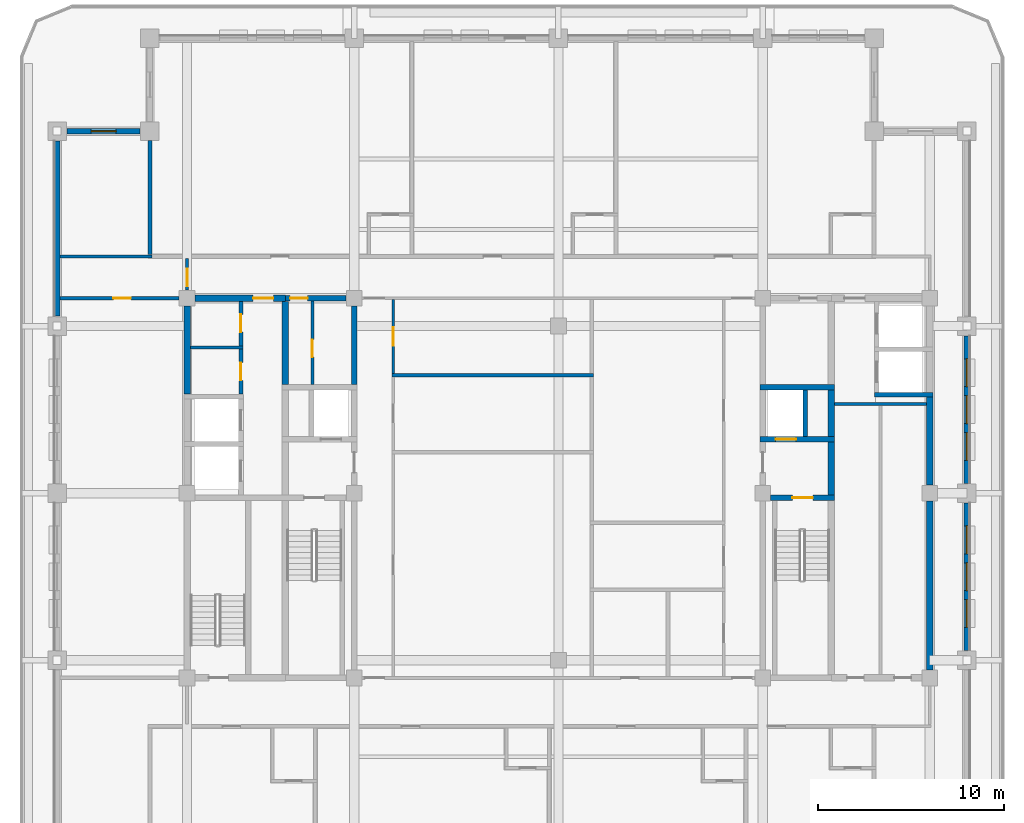
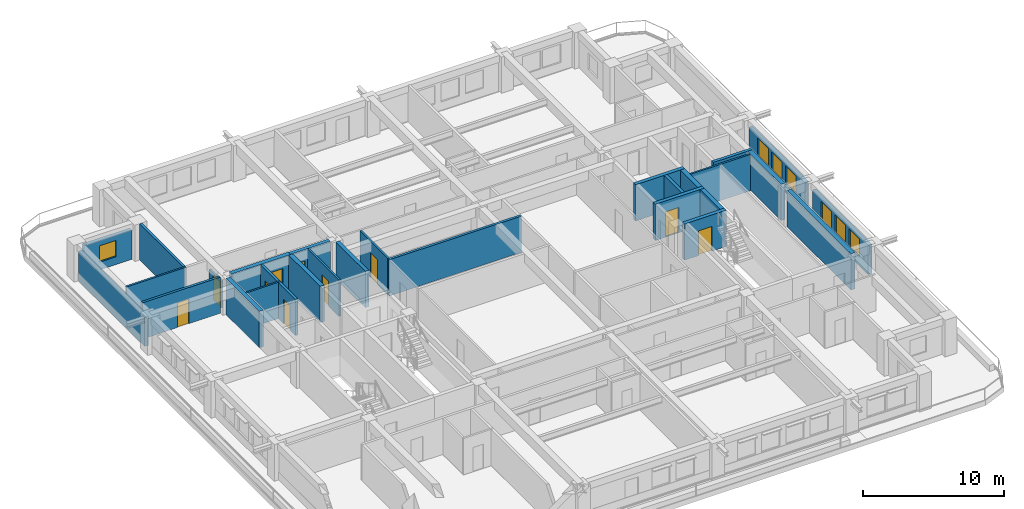
# One storey, part 5 of 14: 29 walls, 10 doors, 7 windows, 17 openings.
"""IFC4 building model written with IfcOpenShell, lengths in metres."""

from ifc_helpers import new_model, si_unit, direction, frame, frame_2d, origin, place, context, subcontext, project, spatial, rectangle, extrude, material, layer, layer_set, type_object, element, fill, save


model = new_model("IFC4")

# Units and contexts
model_context = context("Model", 3, precision=1e-05, world=origin(), true_north=direction((0.0, 1.0)))
body_context = subcontext(model_context, "Body", "Model", "MODEL_VIEW")
ifc_project = project(units=[si_unit("LENGTHUNIT", "METRE"), si_unit("AREAUNIT", "SQUARE_METRE"), si_unit("VOLUMEUNIT", "CUBIC_METRE"), si_unit("PLANEANGLEUNIT", "RADIAN"), si_unit("MASSUNIT", "GRAM", prefix="KILO")], contexts=[model_context])

# Site, building, storey
site_placement = place(None, origin())
site = spatial("IfcSite", under=ifc_project, at=site_placement, CompositionType="ELEMENT")
building_placement = place(site_placement, origin())
building = spatial("IfcBuilding", under=site, at=building_placement, Name="Zulmaris Gate Convention Tower", CompositionType="ELEMENT")
storey_placement = place(building_placement, frame((0.0, 0.0, 198.260009765625)))
storey = spatial("IfcBuildingStorey", under=building, at=storey_placement, Name="L51", CompositionType="ELEMENT", Elevation=198.260009765625)

# Walls
ifc_material_1 = material(Name="Concrete C50/60", Category="concrete")
ifc_layer_1 = layer(ifc_material_1, 0.25, Name="Concrete C50/60")
ifc_layer_set_1 = layer_set([ifc_layer_1], Name="Concrete C50/60")
wall_type_1 = type_object("IfcWallType", Name="CORE-250", PredefinedType="SOLIDWALL", material=ifc_layer_set_1)
wall_1_placement = place(storey_placement, frame((17.02490234375, 5.300048828125, 0.0), z_axis=(0.0, 0.0, 1.0), x_axis=(1.0, 0.0, 0.0)))
element("IfcWall", 1, at=wall_1_placement, inside=storey, type_object=wall_type_1, Name="WL-L51-011", PredefinedType="SOLIDWALL", context=body_context, shape_type="SweptSolid", body=[
    extrude(rectangle(XDim=3.150146484375, YDim=0.25, at=frame_2d((1.5751953125, 0.0))), origin(), (0.0, 0.0, 1.0), 3.14990234375),
])
wall_2_placement = place(storey_placement, frame((13.300048828125, 3.052001953125, 0.0), z_axis=(0.0, 0.0, 1.0), x_axis=(0.0, 1.0, 0.0)))
element("IfcWall", 2, at=wall_2_placement, inside=storey, type_object=wall_type_1, Name="WL-L51-063", PredefinedType="SOLIDWALL", context=body_context, shape_type="SweptSolid", body=[
    extrude(rectangle(XDim=2.49609375, YDim=0.25, at=frame_2d((1.248046875, 0.0))), origin(), (0.0, 0.0, 1.0), 3.14990234375),
])

# Wall, opening, door
ifc_layer_2 = layer(ifc_material_1, 0.300048828125, Name="Concrete C50/60")
ifc_layer_set_2 = layer_set([ifc_layer_2], Name="Concrete C50/60")
wall_type_2 = type_object("IfcWallType", Name="CORE-300", PredefinedType="SHEAR", material=ifc_layer_set_2)
wall_3_placement = place(storey_placement, frame((11.428955078125, -0.25, 0.0), z_axis=(0.0, 0.0, 1.0), x_axis=(1.0, 0.0, 0.0)))
wall_3 = element("IfcWall", 3, at=wall_3_placement, inside=storey, type_object=wall_type_2, Name="WL-L51-006", PredefinedType="SHEAR", context=body_context, shape_type="SweptSolid", body=[
    extrude(rectangle(XDim=3.446044921875, YDim=0.300048828125, at=frame_2d((1.72314453125, 0.0))), origin(), (0.0, 0.0, 1.0), 3.14990234375),
])
opening_1_placement = place(wall_3_placement, frame((1.1708984375, 0.0, 0.0)))
opening_1 = element("IfcOpeningElement", 4, at=opening_1_placement, cuts=wall_3, Name="Opening D-08", PredefinedType="OPENING", context=body_context, shape_type="SweptSolid", body=[
    extrude(rectangle(XDim=1.10009765625, YDim=2.14990234375, at=frame_2d((0.550048828125, 1.074951171875))), frame((0.0, 0.16015625, 0.0), z_axis=(0.0, -1.0, 0.0), x_axis=(1.0, 0.0, 0.0)), (0.0, 0.0, 1.0), 0.320068359375),
])
ifc_material_2 = material(Name="Fire-Rated Steel", Category="steel")
door_type_1 = type_object("IfcDoorType", Name="DR-1100-FD", OperationType="NOTDEFINED", PredefinedType="DOOR", material=ifc_material_2)
door_1_placement = place(opening_1_placement, origin())
door_1 = element("IfcDoor", 5, at=door_1_placement, inside=storey, type_object=door_type_1, Name="L51 Exit Stair ST-2 Door 04", OperationType="SINGLE_SWING_RIGHT", OverallHeight=2.14990234375, OverallWidth=1.10009765625, PredefinedType="DOOR", context=body_context, shape_type="SweptSolid", body=[
    extrude(rectangle(XDim=1.10009765625, YDim=2.14990234375, at=frame_2d((0.550048828125, 1.074951171875))), frame((0.0, 0.02490234375, 0.0), z_axis=(0.0, -1.0, 0.0), x_axis=(1.0, 0.0, 0.0)), (0.0, 0.0, 1.0), 0.050048828125),
])
fill(opening_1, door_1)

wall_4_placement = place(storey_placement, frame((10.85009765625, 2.89990234375, 0.0), z_axis=(0.0, 0.0, 1.0), x_axis=(1.0, 0.0, 0.0)))
wall_4 = element("IfcWall", 6, at=wall_4_placement, inside=storey, type_object=wall_type_2, Name="WL-L51-009", PredefinedType="SHEAR", context=body_context, shape_type="SweptSolid", body=[
    extrude(rectangle(XDim=4.02490234375, YDim=0.300048828125, at=frame_2d((2.012451171875, 0.0))), origin(), (0.0, 0.0, 1.0), 3.14990234375),
])
opening_2_placement = place(wall_4_placement, frame((0.85009765625, 0.0, 0.0)))
opening_2 = element("IfcOpeningElement", 7, at=opening_2_placement, cuts=wall_4, Name="Opening D-06", PredefinedType="OPENING", context=body_context, shape_type="SweptSolid", body=[
    extrude(rectangle(XDim=1.10009765625, YDim=2.199951171875, at=frame_2d((0.550048828125, 1.10009765625))), frame((0.0, 0.16015625, 0.0), z_axis=(0.0, -1.0, 0.0), x_axis=(1.0, 0.0, 0.0)), (0.0, 0.0, 1.0), 0.320068359375),
])
ifc_material_3 = material(Name="Brushed Stainless Steel", Category="steel")
door_type_2 = type_object("IfcDoorType", Name="LD-1100", OperationType="NOTDEFINED", PredefinedType="DOOR", material=ifc_material_3)
door_2_placement = place(opening_2_placement, origin())
door_2 = element("IfcDoor", 8, at=door_2_placement, inside=storey, type_object=door_type_2, Name="L51 Lift Landing Door LF-02 06", OperationType="SLIDING_TO_RIGHT", OverallHeight=2.199951171875, OverallWidth=1.10009765625, PredefinedType="DOOR", context=body_context, shape_type="SweptSolid", body=[
    extrude(rectangle(XDim=1.10009765625, YDim=2.199951171875, at=frame_2d((0.550048828125, 1.10009765625))), frame((0.0, 0.02490234375, 0.0), z_axis=(0.0, -1.0, 0.0), x_axis=(1.0, 0.0, 0.0)), (0.0, 0.0, 1.0), 0.050048828125),
])
fill(opening_2, door_2)

# Wall
wall_5_placement = place(storey_placement, frame((10.85009765625, 5.699951171875, 0.0), z_axis=(0.0, 0.0, 1.0), x_axis=(1.0, 0.0, 0.0)))
element("IfcWall", 9, at=wall_5_placement, inside=storey, type_object=wall_type_2, Name="WL-L51-013", PredefinedType="SHEAR", context=body_context, shape_type="SweptSolid", body=[
    extrude(rectangle(XDim=4.02490234375, YDim=0.300048828125, at=frame_2d((2.012451171875, 0.0))), origin(), (0.0, 0.0, 1.0), 3.14990234375),
])

# Wall, opening, door
wall_6_placement = place(storey_placement, frame((-14.699951171875, 10.5, 0.0), z_axis=(0.0, 0.0, 1.0), x_axis=(1.0, 0.0, 0.0)))
wall_6 = element("IfcWall", 10, at=wall_6_placement, inside=storey, type_object=wall_type_2, Name="WL-L51-016", PredefinedType="SHEAR", context=body_context, shape_type="SweptSolid", body=[
    extrude(rectangle(XDim=3.27099609375, YDim=0.300048828125, at=frame_2d((1.635498046875, 0.0))), origin(), (0.0, 0.0, 1.0), 3.14990234375),
])
opening_3_placement = place(wall_6_placement, frame((0.2451171875, 0.0, 0.0)))
opening_3 = element("IfcOpeningElement", 11, at=opening_3_placement, cuts=wall_6, Name="Opening D-11", PredefinedType="OPENING", context=body_context, shape_type="SweptSolid", body=[
    extrude(rectangle(XDim=0.949951171875, YDim=2.14990234375, at=frame_2d((0.47509765625, 1.074951171875))), frame((0.0, 0.16015625, 0.0), z_axis=(0.0, -1.0, 0.0), x_axis=(1.0, 0.0, 0.0)), (0.0, 0.0, 1.0), 0.320068359375),
])
ifc_material_4 = material(Name="Fire-Rated Timber", Category="wood")
door_type_3 = type_object("IfcDoorType", Name="DR-950-FD", OperationType="NOTDEFINED", PredefinedType="DOOR", material=ifc_material_4)
door_3_placement = place(opening_3_placement, origin())
door_3 = element("IfcDoor", 12, at=door_3_placement, inside=storey, type_object=door_type_3, Name="L51 Core Mail Room Door 07", OperationType="SINGLE_SWING_RIGHT", OverallHeight=2.14990234375, OverallWidth=0.949951171875, PredefinedType="DOOR", context=body_context, shape_type="SweptSolid", body=[
    extrude(rectangle(XDim=0.949951171875, YDim=2.14990234375, at=frame_2d((0.47509765625, 1.074951171875))), frame((0.0, 0.02490234375, 0.0), z_axis=(0.0, -1.0, 0.0), x_axis=(1.0, 0.0, 0.0)), (0.0, 0.0, 1.0), 0.050048828125),
])
fill(opening_3, door_3)

# Wall
wall_7_placement = place(storey_placement, frame((-11.0, 5.85205078125, 0.0), z_axis=(0.0, 0.0, 1.0), x_axis=(0.0, 1.0, 0.0)))
element("IfcWall", 13, at=wall_7_placement, inside=storey, type_object=wall_type_2, Name="WL-L51-057", PredefinedType="SHEAR", context=body_context, shape_type="SweptSolid", body=[
    extrude(rectangle(XDim=4.218994140625, YDim=0.300048828125, at=frame_2d((2.109375, 0.0))), origin(), (0.0, 0.0, 1.0), 3.14990234375),
])

# Wall, opening, door
ifc_material_5 = material(Name="Concrete C55/67", Category="concrete")
ifc_layer_3 = layer(ifc_material_5, 0.35009765625, Name="Concrete C55/67")
ifc_layer_set_3 = layer_set([ifc_layer_3], Name="Concrete C55/67")
wall_type_3 = type_object("IfcWallType", Name="CORE-350", PredefinedType="SHEAR", material=ifc_layer_set_3)
wall_8_placement = place(storey_placement, frame((-19.571044921875, 10.5, 0.0), z_axis=(0.0, 0.0, 1.0), x_axis=(1.0, 0.0, 0.0)))
wall_8 = element("IfcWall", 14, at=wall_8_placement, inside=storey, type_object=wall_type_3, Name="WL-L51-015", PredefinedType="SHEAR", context=body_context, shape_type="SweptSolid", body=[
    extrude(rectangle(XDim=4.87109375, YDim=0.35009765625, at=frame_2d((2.435546875, 0.0))), origin(), (0.0, 0.0, 1.0), 3.14990234375),
])
opening_4_placement = place(wall_8_placement, frame((3.12109375, 0.0, 0.0)))
opening_4 = element("IfcOpeningElement", 15, at=opening_4_placement, cuts=wall_8, Name="Opening D-08", PredefinedType="OPENING", context=body_context, shape_type="SweptSolid", body=[
    extrude(rectangle(XDim=1.10009765625, YDim=2.14990234375, at=frame_2d((0.550048828125, 1.074951171875))), frame((0.0, 0.18505859375, 0.0), z_axis=(0.0, -1.0, 0.0), x_axis=(1.0, 0.0, 0.0)), (0.0, 0.0, 1.0), 0.3701171875),
])
door_4_placement = place(opening_4_placement, origin())
door_4 = element("IfcDoor", 16, at=door_4_placement, inside=storey, type_object=door_type_1, Name="L51 High-Rise West Lift Lobby Door 13", OperationType="SINGLE_SWING_RIGHT", OverallHeight=2.14990234375, OverallWidth=1.10009765625, PredefinedType="DOOR", context=body_context, shape_type="SweptSolid", body=[
    extrude(rectangle(XDim=1.10009765625, YDim=2.14990234375, at=frame_2d((0.550048828125, 1.074951171875))), frame((0.0, 0.02490234375, 0.0), z_axis=(0.0, -1.0, 0.0), x_axis=(1.0, 0.0, 0.0)), (0.0, 0.0, 1.0), 0.050048828125),
])
fill(opening_4, door_4)

# Walls
wall_9_placement = place(storey_placement, frame((-20.0, 5.326904296875, 0.0), z_axis=(0.0, 0.0, 1.0), x_axis=(0.0, 1.0, 0.0)))
element("IfcWall", 17, at=wall_9_placement, inside=storey, type_object=wall_type_3, Name="WL-L51-044", PredefinedType="SHEAR", context=body_context, shape_type="SweptSolid", body=[
    extrude(rectangle(XDim=4.744140625, YDim=0.35009765625, at=frame_2d((2.3720703125, 0.0))), origin(), (0.0, 0.0, 1.0), 3.14990234375),
])
wall_10_placement = place(storey_placement, frame((-14.699951171875, 5.85205078125, 0.0), z_axis=(0.0, 0.0, 1.0), x_axis=(0.0, 1.0, 0.0)))
element("IfcWall", 18, at=wall_10_placement, inside=storey, type_object=wall_type_3, Name="WL-L51-051", PredefinedType="SHEAR", context=body_context, shape_type="SweptSolid", body=[
    extrude(rectangle(XDim=4.470947265625, YDim=0.35009765625, at=frame_2d((2.2353515625, 0.0))), origin(), (0.0, 0.0, 1.0), 3.14990234375),
])
wall_11_placement = place(storey_placement, frame((14.699951171875, -0.097900390625, 0.0), z_axis=(0.0, 0.0, 1.0), x_axis=(0.0, 1.0, 0.0)))
element("IfcWall", 19, at=wall_11_placement, inside=storey, type_object=wall_type_3, Name="WL-L51-065", PredefinedType="SHEAR", context=body_context, shape_type="SweptSolid", body=[
    extrude(rectangle(XDim=2.845947265625, YDim=0.35009765625, at=frame_2d((1.4228515625, 0.0))), origin(), (0.0, 0.0, 1.0), 3.14990234375),
])
wall_12_placement = place(storey_placement, frame((14.699951171875, 3.052001953125, 0.0), z_axis=(0.0, 0.0, 1.0), x_axis=(0.0, 1.0, 0.0)))
element("IfcWall", 20, at=wall_12_placement, inside=storey, type_object=wall_type_3, Name="WL-L51-066", PredefinedType="SHEAR", context=body_context, shape_type="SweptSolid", body=[
    extrude(rectangle(XDim=2.49609375, YDim=0.35009765625, at=frame_2d((1.248046875, 0.0))), origin(), (0.0, 0.0, 1.0), 3.14990234375),
])
wall_13_placement = place(storey_placement, frame((20.0, -9.52099609375, 0.0), z_axis=(0.0, 0.0, 1.0), x_axis=(0.0, 1.0, 0.0)))
element("IfcWall", 21, at=wall_13_placement, inside=storey, type_object=wall_type_3, Name="WL-L51-070", PredefinedType="SHEAR", context=body_context, shape_type="SweptSolid", body=[
    extrude(rectangle(XDim=9.092041015625, YDim=0.35009765625, at=frame_2d((4.5458984375, 0.0))), origin(), (0.0, 0.0, 1.0), 3.14990234375),
])
wall_14_placement = place(storey_placement, frame((20.0, 0.428955078125, 0.0), z_axis=(0.0, 0.0, 1.0), x_axis=(0.0, 1.0, 0.0)))
element("IfcWall", 22, at=wall_14_placement, inside=storey, type_object=wall_type_3, Name="WL-L51-070S1", PredefinedType="SHEAR", context=body_context, shape_type="SweptSolid", body=[
    extrude(rectangle(XDim=4.744140625, YDim=0.35009765625, at=frame_2d((2.3720703125, 0.0))), origin(), (0.0, 0.0, 1.0), 3.14990234375),
])
ifc_material_6 = material(Name="Gypsum Metal Stud Partition")
ifc_layer_4 = layer(ifc_material_6, 0.14990234375, Name="Gypsum Metal Stud Partition")
ifc_layer_set_4 = layer_set([ifc_layer_4], Name="Gypsum Metal Stud Partition")
wall_type_4 = type_object("IfcWallType", Name="PART-150", PredefinedType="PARTITIONING", material=ifc_layer_set_4)
wall_15_placement = place(storey_placement, frame((14.8779296875, 4.800048828125, 0.0), z_axis=(0.0, 0.0, 1.0), x_axis=(1.0, 0.0, 0.0)))
element("IfcWall", 23, at=wall_15_placement, inside=storey, type_object=wall_type_4, Name="WL-L51-030", PredefinedType="PARTITIONING", context=body_context, shape_type="SweptSolid", body=[
    extrude(rectangle(XDim=4.944091796875, YDim=0.14990234375, at=frame_2d((2.47216796875, 0.0))), origin(), (0.0, 0.0, 1.0), 3.14990234375),
])
wall_16_placement = place(storey_placement, frame((-19.822021484375, 7.85009765625, 0.0), z_axis=(0.0, 0.0, 1.0), x_axis=(1.0, 0.0, 0.0)))
element("IfcWall", 24, at=wall_16_placement, inside=storey, type_object=wall_type_4, Name="WL-L51-032", PredefinedType="PARTITIONING", context=body_context, shape_type="SweptSolid", body=[
    extrude(rectangle(XDim=2.822021484375, YDim=0.14990234375, at=frame_2d((1.4111328125, 0.0))), origin(), (0.0, 0.0, 1.0), 3.14990234375),
])
wall_17_placement = place(storey_placement, frame((-26.8349609375, 12.75, 0.0), z_axis=(0.0, 0.0, 1.0), x_axis=(1.0, 0.0, 0.0)))
element("IfcWall", 25, at=wall_17_placement, inside=storey, type_object=wall_type_4, Name="WL-L51-035", PredefinedType="PARTITIONING", context=body_context, shape_type="SweptSolid", body=[
    extrude(rectangle(XDim=4.93505859375, YDim=0.14990234375, at=frame_2d((2.467529296875, 0.0))), origin(), (0.0, 0.0, 1.0), 3.14990234375),
])

# Wall, opening, door
wall_18_placement = place(storey_placement, frame((-20.0, 10.930908203125, 0.0), z_axis=(0.0, 0.0, 1.0), x_axis=(0.0, 1.0, 0.0)))
wall_18 = element("IfcWall", 26, at=wall_18_placement, inside=storey, type_object=wall_type_4, Name="WL-L51-076", PredefinedType="PARTITIONING", context=body_context, shape_type="SweptSolid", body=[
    extrude(rectangle(XDim=1.716064453125, YDim=0.14990234375, at=frame_2d((0.85791015625, 0.0))), origin(), (0.0, 0.0, 1.0), 2.341796875),
])
opening_5_placement = place(wall_18_placement, frame((0.214111328125, 0.0, 0.0)))
opening_5 = element("IfcOpeningElement", 27, at=opening_5_placement, cuts=wall_18, Name="Opening D-11", PredefinedType="OPENING", context=body_context, shape_type="SweptSolid", body=[
    extrude(rectangle(XDim=0.949951171875, YDim=2.14990234375, at=frame_2d((0.47509765625, 1.074951171875))), frame((0.0, 0.0849609375, 0.0), z_axis=(0.0, -1.0, 0.0), x_axis=(1.0, 0.0, 0.0)), (0.0, 0.0, 1.0), 0.169921875),
])
door_5_placement = place(opening_5_placement, origin())
door_5 = element("IfcDoor", 28, at=door_5_placement, inside=storey, type_object=door_type_3, Name="L51 West Spur Door 46", OperationType="SINGLE_SWING_LEFT", OverallHeight=2.14990234375, OverallWidth=0.949951171875, PredefinedType="DOOR", context=body_context, shape_type="SweptSolid", body=[
    extrude(rectangle(XDim=0.949951171875, YDim=2.14990234375, at=frame_2d((0.47509765625, 1.074951171875))), frame((0.0, 0.02490234375, 0.0), z_axis=(0.0, -1.0, 0.0), x_axis=(1.0, 0.0, 0.0)), (0.0, 0.0, 1.0), 0.050048828125),
])
fill(opening_5, door_5)

wall_19_placement = place(storey_placement, frame((-13.25, 5.85302734375, 0.0), z_axis=(0.0, 0.0, 1.0), x_axis=(0.0, 1.0, 0.0)))
wall_19 = element("IfcWall", 29, at=wall_19_placement, inside=storey, type_object=wall_type_4, Name="WL-L51-080", PredefinedType="PARTITIONING", context=body_context, shape_type="SweptSolid", body=[
    extrude(rectangle(XDim=4.493896484375, YDim=0.14990234375, at=frame_2d((2.2470703125, 0.0))), origin(), (0.0, 0.0, 1.0), 3.14990234375),
])
opening_6_placement = place(wall_19_placement, frame((1.471923828125, 0.0, 0.0)))
opening_6 = element("IfcOpeningElement", 30, at=opening_6_placement, cuts=wall_19, Name="Opening D-11", PredefinedType="OPENING", context=body_context, shape_type="SweptSolid", body=[
    extrude(rectangle(XDim=0.949951171875, YDim=2.14990234375, at=frame_2d((0.47509765625, 1.074951171875))), frame((0.0, 0.0849609375, 0.0), z_axis=(0.0, -1.0, 0.0), x_axis=(1.0, 0.0, 0.0)), (0.0, 0.0, 1.0), 0.169921875),
])
door_6_placement = place(opening_6_placement, origin())
door_6 = element("IfcDoor", 31, at=door_6_placement, inside=storey, type_object=door_type_3, Name="L51 Core Janitor Door 08", OperationType="SINGLE_SWING_LEFT", OverallHeight=2.14990234375, OverallWidth=0.949951171875, PredefinedType="DOOR", context=body_context, shape_type="SweptSolid", body=[
    extrude(rectangle(XDim=0.949951171875, YDim=2.14990234375, at=frame_2d((0.47509765625, 1.074951171875))), frame((0.0, 0.02490234375, 0.0), z_axis=(0.0, -1.0, 0.0), x_axis=(1.0, 0.0, 0.0)), (0.0, 0.0, 1.0), 0.050048828125),
])
fill(opening_6, door_6)

wall_20_placement = place(storey_placement, frame((-8.89990234375, 6.452880859375, 0.0), z_axis=(0.0, 0.0, 1.0), x_axis=(0.0, 1.0, 0.0)))
wall_20 = element("IfcWall", 32, at=wall_20_placement, inside=storey, type_object=wall_type_4, Name="WL-L51-086", PredefinedType="PARTITIONING", context=body_context, shape_type="SweptSolid", body=[
    extrude(rectangle(XDim=3.96923828125, YDim=0.14990234375, at=frame_2d((1.984619140625, 0.0))), origin(), (0.0, 0.0, 1.0), 3.14990234375),
])
opening_7_placement = place(wall_20_placement, frame((1.47705078125, 0.0, 0.0)))
opening_7 = element("IfcOpeningElement", 33, at=opening_7_placement, cuts=wall_20, Name="Opening D-10", PredefinedType="OPENING", context=body_context, shape_type="SweptSolid", body=[
    extrude(rectangle(XDim=1.0, YDim=2.14990234375, at=frame_2d((0.5, 1.074951171875))), frame((0.0, 0.0849609375, 0.0), z_axis=(0.0, -1.0, 0.0), x_axis=(1.0, 0.0, 0.0)), (0.0, 0.0, 1.0), 0.169921875),
])
door_type_4 = type_object("IfcDoorType", Name="DR-1000-FD", OperationType="NOTDEFINED", PredefinedType="DOOR", material=ifc_material_4)
door_7_placement = place(opening_7_placement, origin())
door_7 = element("IfcDoor", 34, at=door_7_placement, inside=storey, type_object=door_type_4, Name="L51 Club Lounge Door 39", OperationType="SINGLE_SWING_RIGHT", OverallHeight=2.14990234375, OverallWidth=1.0, PredefinedType="DOOR", context=body_context, shape_type="SweptSolid", body=[
    extrude(rectangle(XDim=1.0, YDim=2.14990234375, at=frame_2d((0.5, 1.074951171875))), frame((0.0, 0.02490234375, 0.0), z_axis=(0.0, -1.0, 0.0), x_axis=(1.0, 0.0, 0.0)), (0.0, 0.0, 1.0), 0.050048828125),
])
fill(opening_7, door_7)

# Wall
ifc_material_7 = material(Name="Autoclaved Aerated Concrete Block and Plasterboard", Category="concrete")
ifc_layer_5 = layer(ifc_material_7, 0.199951171875, Name="Autoclaved Aerated Concrete Block and Plasterboard")
ifc_layer_set_5 = layer_set([ifc_layer_5], Name="Autoclaved Aerated Concrete Block and Plasterboard")
wall_type_5 = type_object("IfcWallType", Name="PART-200", PredefinedType="PARTITIONING", material=ifc_layer_set_5)
wall_21_placement = place(storey_placement, frame((-8.97509765625, 6.35009765625, 0.0), z_axis=(0.0, 0.0, 1.0), x_axis=(1.0, 0.0, 0.0)))
element("IfcWall", 35, at=wall_21_placement, inside=storey, type_object=wall_type_5, Name="WL-L51-031", PredefinedType="PARTITIONING", context=body_context, shape_type="SweptSolid", body=[
    extrude(rectangle(XDim=10.875, YDim=0.199951171875, at=frame_2d((5.4375, 0.0))), origin(), (0.0, 0.0, 1.0), 3.14990234375),
])

# Wall, opening, door
wall_22_placement = place(storey_placement, frame((-26.8349609375, 10.5, 0.0), z_axis=(0.0, 0.0, 1.0), x_axis=(1.0, 0.0, 0.0)))
wall_22 = element("IfcWall", 36, at=wall_22_placement, inside=storey, type_object=wall_type_5, Name="WL-L51-033", PredefinedType="PARTITIONING", context=body_context, shape_type="SweptSolid", body=[
    extrude(rectangle(XDim=6.404052734375, YDim=0.199951171875, at=frame_2d((3.2021484375, 0.0))), origin(), (0.0, 0.0, 1.0), 3.14990234375),
])
opening_8_placement = place(wall_22_placement, frame((2.860107421875, 0.0, 0.0)))
opening_8 = element("IfcOpeningElement", 37, at=opening_8_placement, cuts=wall_22, Name="Opening D-11", PredefinedType="OPENING", context=body_context, shape_type="SweptSolid", body=[
    extrude(rectangle(XDim=0.949951171875, YDim=2.14990234375, at=frame_2d((0.47509765625, 1.074951171875))), frame((0.0, 0.10986328125, 0.0), z_axis=(0.0, -1.0, 0.0), x_axis=(1.0, 0.0, 0.0)), (0.0, 0.0, 1.0), 0.219970703125),
])
door_8_placement = place(opening_8_placement, origin())
door_8 = element("IfcDoor", 38, at=door_8_placement, inside=storey, type_object=door_type_3, Name="L51 Sunset Lounge Door 47", OperationType="SINGLE_SWING_RIGHT", OverallHeight=2.14990234375, OverallWidth=0.949951171875, PredefinedType="DOOR", context=body_context, shape_type="SweptSolid", body=[
    extrude(rectangle(XDim=0.949951171875, YDim=2.14990234375, at=frame_2d((0.47509765625, 1.074951171875))), frame((0.0, 0.02490234375, 0.0), z_axis=(0.0, -1.0, 0.0), x_axis=(1.0, 0.0, 0.0)), (0.0, 0.0, 1.0), 0.050048828125),
])
fill(opening_8, door_8)

# Wall
wall_23_placement = place(storey_placement, frame((-22.0, 12.85302734375, 0.0), z_axis=(0.0, 0.0, 1.0), x_axis=(0.0, 1.0, 0.0)))
element("IfcWall", 39, at=wall_23_placement, inside=storey, type_object=wall_type_5, Name="WL-L51-074", PredefinedType="PARTITIONING", context=body_context, shape_type="SweptSolid", body=[
    extrude(rectangle(XDim=6.140869140625, YDim=0.199951171875, at=frame_2d((3.0703125, 0.0))), origin(), (0.0, 0.0, 1.0), 3.14990234375),
])

# Wall, opening, door
wall_24_placement = place(storey_placement, frame((-17.10009765625, 5.327880859375, 0.0), z_axis=(0.0, 0.0, 1.0), x_axis=(0.0, 1.0, 0.0)))
wall_24 = element("IfcWall", 40, at=wall_24_placement, inside=storey, type_object=wall_type_5, Name="WL-L51-077", PredefinedType="PARTITIONING", context=body_context, shape_type="SweptSolid", body=[
    extrude(rectangle(XDim=2.444091796875, YDim=0.199951171875, at=frame_2d((1.22216796875, 0.0))), origin(), (0.0, 0.0, 1.0), 3.14990234375),
])
opening_9_placement = place(wall_24_placement, frame((0.7470703125, 0.0, 0.0)))
opening_9 = element("IfcOpeningElement", 41, at=opening_9_placement, cuts=wall_24, Name="Opening D-11", PredefinedType="OPENING", context=body_context, shape_type="SweptSolid", body=[
    extrude(rectangle(XDim=0.949951171875, YDim=2.14990234375, at=frame_2d((0.47509765625, 1.074951171875))), frame((0.0, 0.10986328125, 0.0), z_axis=(0.0, -1.0, 0.0), x_axis=(1.0, 0.0, 0.0)), (0.0, 0.0, 1.0), 0.219970703125),
])
door_9_placement = place(opening_9_placement, origin())
door_9 = element("IfcDoor", 42, at=door_9_placement, inside=storey, type_object=door_type_3, Name="L51 Valet Closet Door 15", OperationType="SINGLE_SWING_RIGHT", OverallHeight=2.14990234375, OverallWidth=0.949951171875, PredefinedType="DOOR", context=body_context, shape_type="SweptSolid", body=[
    extrude(rectangle(XDim=0.949951171875, YDim=2.14990234375, at=frame_2d((0.47509765625, 1.074951171875))), frame((0.0, 0.02490234375, 0.0), z_axis=(0.0, -1.0, 0.0), x_axis=(1.0, 0.0, 0.0)), (0.0, 0.0, 1.0), 0.050048828125),
])
fill(opening_9, door_9)

wall_25_placement = place(storey_placement, frame((-17.10009765625, 7.927978515625, 0.0), z_axis=(0.0, 0.0, 1.0), x_axis=(0.0, 1.0, 0.0)))
wall_25 = element("IfcWall", 43, at=wall_25_placement, inside=storey, type_object=wall_type_5, Name="WL-L51-078", PredefinedType="PARTITIONING", context=body_context, shape_type="SweptSolid", body=[
    extrude(rectangle(XDim=2.39404296875, YDim=0.199951171875, at=frame_2d((1.197021484375, 0.0))), origin(), (0.0, 0.0, 1.0), 3.14990234375),
])
opening_10_placement = place(wall_25_placement, frame((0.7470703125, 0.0, 0.0)))
opening_10 = element("IfcOpeningElement", 44, at=opening_10_placement, cuts=wall_25, Name="Opening D-11", PredefinedType="OPENING", context=body_context, shape_type="SweptSolid", body=[
    extrude(rectangle(XDim=0.949951171875, YDim=2.14990234375, at=frame_2d((0.47509765625, 1.074951171875))), frame((0.0, 0.10986328125, 0.0), z_axis=(0.0, -1.0, 0.0), x_axis=(1.0, 0.0, 0.0)), (0.0, 0.0, 1.0), 0.219970703125),
])
door_10_placement = place(opening_10_placement, origin())
door_10 = element("IfcDoor", 45, at=door_10_placement, inside=storey, type_object=door_type_3, Name="L51 Housekeeping Door 14", OperationType="SINGLE_SWING_LEFT", OverallHeight=2.14990234375, OverallWidth=0.949951171875, PredefinedType="DOOR", context=body_context, shape_type="SweptSolid", body=[
    extrude(rectangle(XDim=0.949951171875, YDim=2.14990234375, at=frame_2d((0.47509765625, 1.074951171875))), frame((0.0, 0.02490234375, 0.0), z_axis=(0.0, -1.0, 0.0), x_axis=(1.0, 0.0, 0.0)), (0.0, 0.0, 1.0), 0.050048828125),
])
fill(opening_10, door_10)

# Wall, opening, window
ifc_material_8 = material(Name="Precast concrete C40/50", Category="concrete")
ifc_layer_6 = layer(ifc_material_8, 0.300048828125, Name="Precast concrete C40/50")
ifc_layer_set_6 = layer_set([ifc_layer_6], Name="Precast concrete C40/50")
wall_type_6 = type_object("IfcWallType", Name="PRECAST-PIER-300", PredefinedType="STANDARD", material=ifc_layer_set_6)
wall_26_placement = place(storey_placement, frame((-22.530029296875, 19.5, 0.0), z_axis=(0.0, 0.0, 1.0), x_axis=(-1.0, 0.0, 0.0)))
wall_26 = element("IfcWall", 46, at=wall_26_placement, inside=storey, type_object=wall_type_6, Name="EW-L51-NOTCH-NW2_0", PredefinedType="STANDARD", context=body_context, shape_type="SweptSolid", body=[
    extrude(rectangle(XDim=3.93994140625, YDim=0.300048828125, at=frame_2d((1.969970703125, 0.0))), origin(), (0.0, 0.0, 1.0), 2.5419921875),
])
opening_11_placement = place(wall_26_placement, frame((1.294921875, 0.0, 0.679931640625)))
opening_11 = element("IfcOpeningElement", 47, at=opening_11_placement, cuts=wall_26, Name="Opening W-10", PredefinedType="OPENING", context=body_context, shape_type="SweptSolid", body=[
    extrude(rectangle(XDim=1.35009765625, YDim=1.419921875, at=frame_2d((0.675048828125, 0.7099609375))), frame((0.0, 0.16015625, 0.0), z_axis=(0.0, -1.0, 0.0), x_axis=(1.0, 0.0, 0.0)), (0.0, 0.0, 1.0), 0.320068359375),
])
ifc_material_9 = material(Name="Low-E Laminated Double Glazing in Aluminium Frame", Category="aluminium")
window_type_1 = type_object("IfcWindowType", Name="WIN-1350x2000", PartitioningType="SINGLE_PANEL", PredefinedType="WINDOW", material=ifc_material_9)
window_1_placement = place(opening_11_placement, origin())
window_1 = element("IfcWindow", 48, at=window_1_placement, inside=storey, type_object=window_type_1, Name="WN-EW-L51-NOTCH-NW2_0", OverallHeight=1.419921875, OverallWidth=1.35009765625, PartitioningType="SINGLE_PANEL", PredefinedType="WINDOW", context=body_context, shape_type="SweptSolid", body=[
    extrude(rectangle(XDim=1.35009765625, YDim=1.419921875, at=frame_2d((0.675048828125, 0.7099609375))), frame((0.0, 0.030029296875, 0.0), z_axis=(0.0, -1.0, 0.0), x_axis=(1.0, 0.0, 0.0)), (0.0, 0.0, 1.0), 0.06005859375),
])
fill(opening_11, window_1)

# Wall, openings, windows
wall_27_placement = place(storey_placement, frame((22.0, -8.469970703125, 0.0), z_axis=(0.0, 0.0, 1.0), x_axis=(0.0, 1.0, 0.0)))
wall_27 = element("IfcWall", 49, at=wall_27_placement, inside=storey, type_object=wall_type_6, Name="EW-L51-E-1_0", PredefinedType="STANDARD", context=body_context, shape_type="SweptSolid", body=[
    extrude(rectangle(XDim=7.93994140625, YDim=0.300048828125, at=frame_2d((3.969970703125, 0.0))), origin(), (0.0, 0.0, 1.0), 2.5419921875),
])
opening_12_placement = place(wall_27_placement, frame((1.235107421875, 0.0, 0.719970703125)))
opening_12 = element("IfcOpeningElement", 50, at=opening_12_placement, cuts=wall_27, Name="Opening W-03", PredefinedType="OPENING", context=body_context, shape_type="SweptSolid", body=[
    extrude(rectangle(XDim=1.5, YDim=1.60009765625, at=frame_2d((0.75, 0.800048828125))), frame((0.0, 0.16015625, 0.0), z_axis=(0.0, -1.0, 0.0), x_axis=(1.0, 0.0, 0.0)), (0.0, 0.0, 1.0), 0.320068359375),
])
opening_13_placement = place(wall_27_placement, frame((3.219970703125, 0.0, 0.719970703125)))
opening_13 = element("IfcOpeningElement", 51, at=opening_13_placement, cuts=wall_27, Name="Opening W-03", PredefinedType="OPENING", context=body_context, shape_type="SweptSolid", body=[
    extrude(rectangle(XDim=1.5, YDim=1.60009765625, at=frame_2d((0.75, 0.800048828125))), frame((0.0, 0.16015625, 0.0), z_axis=(0.0, -1.0, 0.0), x_axis=(1.0, 0.0, 0.0)), (0.0, 0.0, 1.0), 0.320068359375),
])
opening_14_placement = place(wall_27_placement, frame((5.205078125, 0.0, 0.719970703125)))
opening_14 = element("IfcOpeningElement", 52, at=opening_14_placement, cuts=wall_27, Name="Opening W-03", PredefinedType="OPENING", context=body_context, shape_type="SweptSolid", body=[
    extrude(rectangle(XDim=1.5, YDim=1.60009765625, at=frame_2d((0.75, 0.800048828125))), frame((0.0, 0.16015625, 0.0), z_axis=(0.0, -1.0, 0.0), x_axis=(1.0, 0.0, 0.0)), (0.0, 0.0, 1.0), 0.320068359375),
])
window_type_2 = type_object("IfcWindowType", Name="WIN-1500x2100", PartitioningType="SINGLE_PANEL", PredefinedType="WINDOW", material=ifc_material_9)
window_2_placement = place(opening_12_placement, origin())
window_2 = element("IfcWindow", 53, at=window_2_placement, inside=storey, type_object=window_type_2, Name="WN-EW-L51-E-1_0-1", OverallHeight=1.60009765625, OverallWidth=1.5, PartitioningType="SINGLE_PANEL", PredefinedType="WINDOW", context=body_context, shape_type="SweptSolid", body=[
    extrude(rectangle(XDim=1.5, YDim=1.60009765625, at=frame_2d((0.75, 0.800048828125))), frame((0.0, 0.030029296875, 0.0), z_axis=(0.0, -1.0, 0.0), x_axis=(1.0, 0.0, 0.0)), (0.0, 0.0, 1.0), 0.06005859375),
])
fill(opening_12, window_2)
window_3_placement = place(opening_13_placement, origin())
window_3 = element("IfcWindow", 54, at=window_3_placement, inside=storey, type_object=window_type_2, Name="WN-EW-L51-E-1_0-2", OverallHeight=1.60009765625, OverallWidth=1.5, PartitioningType="SINGLE_PANEL", PredefinedType="WINDOW", context=body_context, shape_type="SweptSolid", body=[
    extrude(rectangle(XDim=1.5, YDim=1.60009765625, at=frame_2d((0.75, 0.800048828125))), frame((0.0, 0.030029296875, 0.0), z_axis=(0.0, -1.0, 0.0), x_axis=(1.0, 0.0, 0.0)), (0.0, 0.0, 1.0), 0.06005859375),
])
fill(opening_13, window_3)
window_4_placement = place(opening_14_placement, origin())
window_4 = element("IfcWindow", 55, at=window_4_placement, inside=storey, type_object=window_type_2, Name="WN-EW-L51-E-1_0-3", OverallHeight=1.60009765625, OverallWidth=1.5, PartitioningType="SINGLE_PANEL", PredefinedType="WINDOW", context=body_context, shape_type="SweptSolid", body=[
    extrude(rectangle(XDim=1.5, YDim=1.60009765625, at=frame_2d((0.75, 0.800048828125))), frame((0.0, 0.030029296875, 0.0), z_axis=(0.0, -1.0, 0.0), x_axis=(1.0, 0.0, 0.0)), (0.0, 0.0, 1.0), 0.06005859375),
])
fill(opening_14, window_4)

wall_28_placement = place(storey_placement, frame((22.0, 0.530029296875, 0.0), z_axis=(0.0, 0.0, 1.0), x_axis=(0.0, 1.0, 0.0)))
wall_28 = element("IfcWall", 56, at=wall_28_placement, inside=storey, type_object=wall_type_6, Name="EW-L51-E-2_0", PredefinedType="STANDARD", context=body_context, shape_type="SweptSolid", body=[
    extrude(rectangle(XDim=7.93994140625, YDim=0.300048828125, at=frame_2d((3.969970703125, 0.0))), origin(), (0.0, 0.0, 1.0), 2.5419921875),
])
opening_15_placement = place(wall_28_placement, frame((1.235107421875, 0.0, 0.719970703125)))
opening_15 = element("IfcOpeningElement", 57, at=opening_15_placement, cuts=wall_28, Name="Opening W-03", PredefinedType="OPENING", context=body_context, shape_type="SweptSolid", body=[
    extrude(rectangle(XDim=1.5, YDim=1.60009765625, at=frame_2d((0.75, 0.800048828125))), frame((0.0, 0.16015625, 0.0), z_axis=(0.0, -1.0, 0.0), x_axis=(1.0, 0.0, 0.0)), (0.0, 0.0, 1.0), 0.320068359375),
])
opening_16_placement = place(wall_28_placement, frame((3.219970703125, 0.0, 0.719970703125)))
opening_16 = element("IfcOpeningElement", 58, at=opening_16_placement, cuts=wall_28, Name="Opening W-03", PredefinedType="OPENING", context=body_context, shape_type="SweptSolid", body=[
    extrude(rectangle(XDim=1.5, YDim=1.60009765625, at=frame_2d((0.75, 0.800048828125))), frame((0.0, 0.16015625, 0.0), z_axis=(0.0, -1.0, 0.0), x_axis=(1.0, 0.0, 0.0)), (0.0, 0.0, 1.0), 0.320068359375),
])
opening_17_placement = place(wall_28_placement, frame((5.205078125, 0.0, 0.719970703125)))
opening_17 = element("IfcOpeningElement", 59, at=opening_17_placement, cuts=wall_28, Name="Opening W-03", PredefinedType="OPENING", context=body_context, shape_type="SweptSolid", body=[
    extrude(rectangle(XDim=1.5, YDim=1.60009765625, at=frame_2d((0.75, 0.800048828125))), frame((0.0, 0.16015625, 0.0), z_axis=(0.0, -1.0, 0.0), x_axis=(1.0, 0.0, 0.0)), (0.0, 0.0, 1.0), 0.320068359375),
])
window_5_placement = place(opening_15_placement, origin())
window_5 = element("IfcWindow", 60, at=window_5_placement, inside=storey, type_object=window_type_2, Name="WN-EW-L51-E-2_0-1", OverallHeight=1.60009765625, OverallWidth=1.5, PartitioningType="SINGLE_PANEL", PredefinedType="WINDOW", context=body_context, shape_type="SweptSolid", body=[
    extrude(rectangle(XDim=1.5, YDim=1.60009765625, at=frame_2d((0.75, 0.800048828125))), frame((0.0, 0.030029296875, 0.0), z_axis=(0.0, -1.0, 0.0), x_axis=(1.0, 0.0, 0.0)), (0.0, 0.0, 1.0), 0.06005859375),
])
fill(opening_15, window_5)
window_6_placement = place(opening_16_placement, origin())
window_6 = element("IfcWindow", 61, at=window_6_placement, inside=storey, type_object=window_type_2, Name="WN-EW-L51-E-2_0-2", OverallHeight=1.60009765625, OverallWidth=1.5, PartitioningType="SINGLE_PANEL", PredefinedType="WINDOW", context=body_context, shape_type="SweptSolid", body=[
    extrude(rectangle(XDim=1.5, YDim=1.60009765625, at=frame_2d((0.75, 0.800048828125))), frame((0.0, 0.030029296875, 0.0), z_axis=(0.0, -1.0, 0.0), x_axis=(1.0, 0.0, 0.0)), (0.0, 0.0, 1.0), 0.06005859375),
])
fill(opening_16, window_6)
window_7_placement = place(opening_17_placement, origin())
window_7 = element("IfcWindow", 62, at=window_7_placement, inside=storey, type_object=window_type_2, Name="WN-EW-L51-E-2_0-3", OverallHeight=1.60009765625, OverallWidth=1.5, PartitioningType="SINGLE_PANEL", PredefinedType="WINDOW", context=body_context, shape_type="SweptSolid", body=[
    extrude(rectangle(XDim=1.5, YDim=1.60009765625, at=frame_2d((0.75, 0.800048828125))), frame((0.0, 0.030029296875, 0.0), z_axis=(0.0, -1.0, 0.0), x_axis=(1.0, 0.0, 0.0)), (0.0, 0.0, 1.0), 0.06005859375),
])
fill(opening_17, window_7)

# Wall
wall_29_placement = place(storey_placement, frame((-27.0, 18.969970703125, 0.0), z_axis=(0.0, 0.0, 1.0), x_axis=(0.0, -1.0, 0.0)))
element("IfcWall", 63, at=wall_29_placement, inside=storey, type_object=wall_type_6, Name="EW-L51-W-3_0", PredefinedType="STANDARD", context=body_context, shape_type="SweptSolid", body=[
    extrude(rectangle(XDim=9.43994140625, YDim=0.300048828125, at=frame_2d((4.719970703125, 0.0))), origin(), (0.0, 0.0, 1.0), 2.5419921875),
])

save(model, "model.ifc")
